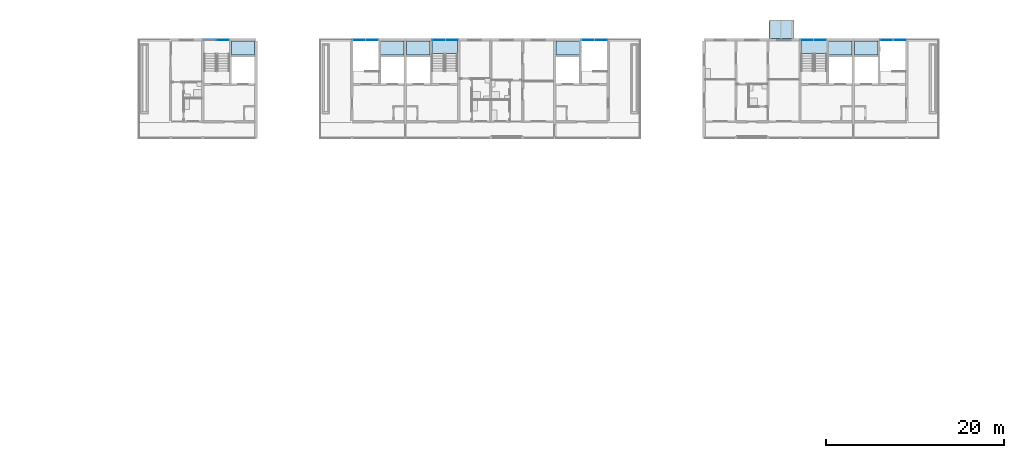
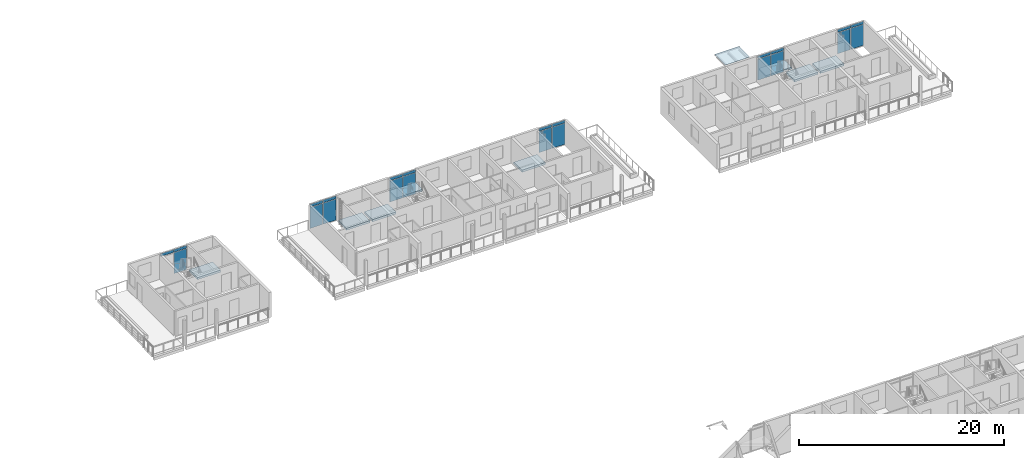
# One storey, part 35 of 87: 23 plates, 9 slabs, 8 elements without a shape of their own.
"""IFC4 building model written with IfcOpenShell, lengths in metres."""

from ifc_helpers import new_model, si_unit, direction, frame, origin, origin_2d, place, context, subcontext, project, spatial, polyline, rectangle, outline, extrude, material, layer, layer_set, type_object, element, aggregate, save


model = new_model("IFC4")

# Units and contexts
model_context = context("Model", 3, precision=1e-05, world=origin(), true_north=direction((0.0, 1.0)))
body_context = subcontext(model_context, "Body", "Model", "MODEL_VIEW")
ifc_project = project(units=[si_unit("LENGTHUNIT", "METRE"), si_unit("AREAUNIT", "SQUARE_METRE"), si_unit("VOLUMEUNIT", "CUBIC_METRE"), si_unit("PLANEANGLEUNIT", "RADIAN"), si_unit("MASSUNIT", "GRAM", prefix="KILO")], contexts=[model_context])

# Site, building, storey
site_placement = place(None, origin())
site = spatial("IfcSite", under=ifc_project, at=site_placement, CompositionType="ELEMENT")
building_placement = place(site_placement, origin())
building = spatial("IfcBuilding", under=site, at=building_placement, Name="Ridgestep Commons", CompositionType="ELEMENT")
storey_placement = place(building_placement, frame((0.0, 0.0, 27.0)))
storey = spatial("IfcBuildingStorey", under=building, at=storey_placement, Name="L09", CompositionType="ELEMENT", Elevation=27.0)

# Curtain wall, plate
ifc_material_1 = material(Name="Aluminium 6063-T6 and glass", Category="aluminium")
curtain_wall_type = type_object("IfcCurtainWallType", Name="Curtain wall stair strip", PredefinedType="NOTDEFINED", material=ifc_material_1)
curtain_wall_1_placement = place(storey_placement, origin())
curtain_wall_1 = element("IfcCurtainWall", 1, at=curtain_wall_1_placement, inside=storey, type_object=curtain_wall_type, Name="Curtain wall C1C level 09", PredefinedType="NOTDEFINED")
ifc_material_2 = material(Name="Glass laminated 6/16/6 low-emissivity", Category="glass")
ifc_layer_1 = layer(ifc_material_2, 0.028076171875)
ifc_layer_set_1 = layer_set([ifc_layer_1], Name="Glazing panel 28")
plate_type_1 = type_object("IfcPlateType", Name="Glazing panel 28", PredefinedType="CURTAIN_PANEL", material=ifc_layer_set_1)
plate_1_placement = place(storey_placement, frame((159.853759765625, 77.080078125, 0.06005859375), z_axis=(0.0, 0.0, 1.0), x_axis=(1.0, 0.0, 0.0)))
plate_1 = element("IfcPlate", 2, at=plate_1_placement, type_object=plate_type_1, Name="CW1 panel 2.1", PredefinedType="CURTAIN_PANEL", context=body_context, shape_type="SweptSolid", body=[
    extrude(rectangle(XDim=1.422607421875, YDim=0.028076171875, at=origin_2d()), origin(), (0.0, 0.0, 1.0), 2.5),
])

# Curtain wall, plates
curtain_wall_2_placement = place(storey_placement, origin())
curtain_wall_2 = element("IfcCurtainWall", 3, at=curtain_wall_2_placement, inside=storey, type_object=curtain_wall_type, Name="Curtain wall C2C level 09", PredefinedType="NOTDEFINED")
plate_2_placement = place(storey_placement, frame((175.171142578125, 77.080078125, 0.06005859375), z_axis=(0.0, 0.0, 1.0), x_axis=(1.0, 0.0, 0.0)))
plate_2 = element("IfcPlate", 4, at=plate_2_placement, type_object=plate_type_1, Name="CW1 panel 1.1", PredefinedType="CURTAIN_PANEL", context=body_context, shape_type="SweptSolid", body=[
    extrude(rectangle(XDim=1.422607421875, YDim=0.028076171875, at=origin_2d()), origin(), (0.0, 0.0, 1.0), 2.5),
])
plate_3_placement = place(storey_placement, frame((176.65380859375, 77.080078125, 0.06005859375), z_axis=(0.0, 0.0, 1.0), x_axis=(1.0, 0.0, 0.0)))
plate_3 = element("IfcPlate", 5, at=plate_3_placement, type_object=plate_type_1, Name="CW1 panel 2.1", PredefinedType="CURTAIN_PANEL", context=body_context, shape_type="SweptSolid", body=[
    extrude(rectangle(XDim=1.422607421875, YDim=0.028076171875, at=origin_2d()), origin(), (0.0, 0.0, 1.0), 2.5),
])

curtain_wall_3_placement = place(storey_placement, origin())
curtain_wall_3 = element("IfcCurtainWall", 6, at=curtain_wall_3_placement, inside=storey, type_object=curtain_wall_type, Name="Curtain wall C3C level 09", PredefinedType="NOTDEFINED")
plate_4_placement = place(storey_placement, frame((184.146240234375, 77.080078125, 0.06005859375), z_axis=(0.0, 0.0, 1.0), x_axis=(1.0, 0.0, 0.0)))
plate_4 = element("IfcPlate", 7, at=plate_4_placement, type_object=plate_type_1, Name="CW1 panel 1.1", PredefinedType="CURTAIN_PANEL", context=body_context, shape_type="SweptSolid", body=[
    extrude(rectangle(XDim=1.422607421875, YDim=0.028076171875, at=origin_2d()), origin(), (0.0, 0.0, 1.0), 2.5),
])
plate_5_placement = place(storey_placement, frame((185.628662109375, 77.080078125, 0.06005859375), z_axis=(0.0, 0.0, 1.0), x_axis=(1.0, 0.0, 0.0)))
plate_5 = element("IfcPlate", 8, at=plate_5_placement, type_object=plate_type_1, Name="CW1 panel 2.1", PredefinedType="CURTAIN_PANEL", context=body_context, shape_type="SweptSolid", body=[
    extrude(rectangle(XDim=1.422607421875, YDim=0.028076171875, at=origin_2d()), origin(), (0.0, 0.0, 1.0), 2.5),
])

curtain_wall_4_placement = place(storey_placement, origin())
curtain_wall_4 = element("IfcCurtainWall", 9, at=curtain_wall_4_placement, inside=storey, type_object=curtain_wall_type, Name="Curtain wall C4C level 09", PredefinedType="NOTDEFINED")
plate_6_placement = place(storey_placement, frame((200.9462890625, 77.080078125, 0.06005859375), z_axis=(0.0, 0.0, 1.0), x_axis=(1.0, 0.0, 0.0)))
plate_6 = element("IfcPlate", 10, at=plate_6_placement, type_object=plate_type_1, Name="CW1 panel 1.1", PredefinedType="CURTAIN_PANEL", context=body_context, shape_type="SweptSolid", body=[
    extrude(rectangle(XDim=1.422607421875, YDim=0.028076171875, at=origin_2d()), origin(), (0.0, 0.0, 1.0), 2.5),
])
plate_7_placement = place(storey_placement, frame((202.4287109375, 77.080078125, 0.06005859375), z_axis=(0.0, 0.0, 1.0), x_axis=(1.0, 0.0, 0.0)))
plate_7 = element("IfcPlate", 11, at=plate_7_placement, type_object=plate_type_1, Name="CW1 panel 2.1", PredefinedType="CURTAIN_PANEL", context=body_context, shape_type="SweptSolid", body=[
    extrude(rectangle(XDim=1.422607421875, YDim=0.028076171875, at=origin_2d()), origin(), (0.0, 0.0, 1.0), 2.5),
])

curtain_wall_5_placement = place(storey_placement, origin())
curtain_wall_5 = element("IfcCurtainWall", 12, at=curtain_wall_5_placement, inside=storey, type_object=curtain_wall_type, Name="Curtain wall C5C level 09", PredefinedType="NOTDEFINED")
plate_8_placement = place(storey_placement, frame((225.5712890625, 77.080078125, 0.06005859375), z_axis=(0.0, 0.0, 1.0), x_axis=(1.0, 0.0, 0.0)))
plate_8 = element("IfcPlate", 13, at=plate_8_placement, type_object=plate_type_1, Name="CW1 panel 1.1", PredefinedType="CURTAIN_PANEL", context=body_context, shape_type="SweptSolid", body=[
    extrude(rectangle(XDim=1.422607421875, YDim=0.028076171875, at=origin_2d()), origin(), (0.0, 0.0, 1.0), 2.5),
])
plate_9_placement = place(storey_placement, frame((227.0537109375, 77.080078125, 0.06005859375), z_axis=(0.0, 0.0, 1.0), x_axis=(1.0, 0.0, 0.0)))
plate_9 = element("IfcPlate", 14, at=plate_9_placement, type_object=plate_type_1, Name="CW1 panel 2.1", PredefinedType="CURTAIN_PANEL", context=body_context, shape_type="SweptSolid", body=[
    extrude(rectangle(XDim=1.422607421875, YDim=0.028076171875, at=origin_2d()), origin(), (0.0, 0.0, 1.0), 2.5),
])

curtain_wall_6_placement = place(storey_placement, origin())
curtain_wall_6 = element("IfcCurtainWall", 15, at=curtain_wall_6_placement, inside=storey, type_object=curtain_wall_type, Name="Curtain wall C6C level 09", PredefinedType="NOTDEFINED")
plate_10_placement = place(storey_placement, frame((234.546142578125, 77.080078125, 0.06005859375), z_axis=(0.0, 0.0, 1.0), x_axis=(1.0, 0.0, 0.0)))
plate_10 = element("IfcPlate", 16, at=plate_10_placement, type_object=plate_type_1, Name="CW1 panel 1.1", PredefinedType="CURTAIN_PANEL", context=body_context, shape_type="SweptSolid", body=[
    extrude(rectangle(XDim=1.422607421875, YDim=0.028076171875, at=origin_2d()), origin(), (0.0, 0.0, 1.0), 2.5),
])
plate_11_placement = place(storey_placement, frame((236.02880859375, 77.080078125, 0.06005859375), z_axis=(0.0, 0.0, 1.0), x_axis=(1.0, 0.0, 0.0)))
plate_11 = element("IfcPlate", 17, at=plate_11_placement, type_object=plate_type_1, Name="CW1 panel 2.1", PredefinedType="CURTAIN_PANEL", context=body_context, shape_type="SweptSolid", body=[
    extrude(rectangle(XDim=1.422607421875, YDim=0.028076171875, at=origin_2d()), origin(), (0.0, 0.0, 1.0), 2.5),
])

# Slabs
ifc_material_3 = material(Name="Precast concrete C50/60", Category="concrete")
ifc_layer_2 = layer(ifc_material_3, 0.25)
ifc_layer_set_2 = layer_set([ifc_layer_2], Name="Hollow-core plank 250")
slab_type_1 = type_object("IfcSlabType", Name="Hollow-core plank 250", PredefinedType="FLOOR", material=ifc_layer_set_2)
slab_1_placement = place(storey_placement, frame((0.0, 0.0, -0.25)))
element("IfcSlab", 18, at=slab_1_placement, inside=storey, type_object=slab_type_1, Name="Floor plank C1C L09", PredefinedType="FLOOR", context=body_context, shape_type="SweptSolid", body=[
    extrude(outline(polyline([(163.449951171875, 75.39990234375), (163.449951171875, 77.0), (160.824951171875, 77.0), (160.824951171875, 75.39990234375), (163.449951171875, 75.39990234375)])), origin(), (0.0, 0.0, 1.0), 0.25),
])
slab_2_placement = place(storey_placement, frame((0.0, 0.0, -0.25)))
element("IfcSlab", 19, at=slab_2_placement, inside=storey, type_object=slab_type_1, Name="Floor plank C2C L09", PredefinedType="FLOOR", context=body_context, shape_type="SweptSolid", body=[
    extrude(outline(polyline([(180.25, 75.39990234375), (180.25, 77.0), (177.625, 77.0), (177.625, 75.39990234375), (180.25, 75.39990234375)])), origin(), (0.0, 0.0, 1.0), 0.25),
])
slab_3_placement = place(storey_placement, frame((0.0, 0.0, -0.25)))
element("IfcSlab", 20, at=slab_3_placement, inside=storey, type_object=slab_type_1, Name="Floor plank C3C L09", PredefinedType="FLOOR", context=body_context, shape_type="SweptSolid", body=[
    extrude(outline(polyline([(183.175048828125, 77.0), (180.550048828125, 77.0), (180.550048828125, 75.39990234375), (183.175048828125, 75.39990234375), (183.175048828125, 77.0)])), origin(), (0.0, 0.0, 1.0), 0.25),
])
slab_4_placement = place(storey_placement, frame((0.0, 0.0, -0.25)))
element("IfcSlab", 21, at=slab_4_placement, inside=storey, type_object=slab_type_1, Name="Floor plank C4C L09", PredefinedType="FLOOR", context=body_context, shape_type="SweptSolid", body=[
    extrude(outline(polyline([(199.97509765625, 77.0), (197.35009765625, 77.0), (197.35009765625, 75.39990234375), (199.97509765625, 75.39990234375), (199.97509765625, 77.0)])), origin(), (0.0, 0.0, 1.0), 0.25),
])
slab_5_placement = place(storey_placement, frame((0.0, 0.0, -0.25)))
element("IfcSlab", 22, at=slab_5_placement, inside=storey, type_object=slab_type_1, Name="Floor plank C5C L09", PredefinedType="FLOOR", context=body_context, shape_type="SweptSolid", body=[
    extrude(outline(polyline([(230.64990234375, 75.39990234375), (230.64990234375, 77.0), (228.02490234375, 77.0), (228.02490234375, 75.39990234375), (230.64990234375, 75.39990234375)])), origin(), (0.0, 0.0, 1.0), 0.25),
])
slab_6_placement = place(storey_placement, frame((0.0, 0.0, -0.25)))
element("IfcSlab", 23, at=slab_6_placement, inside=storey, type_object=slab_type_1, Name="Floor plank C6C L09", PredefinedType="FLOOR", context=body_context, shape_type="SweptSolid", body=[
    extrude(outline(polyline([(233.574951171875, 77.0), (230.949951171875, 77.0), (230.949951171875, 75.39990234375), (233.574951171875, 75.39990234375), (233.574951171875, 77.0)])), origin(), (0.0, 0.0, 1.0), 0.25),
])

# Plate
ifc_material_4 = material(Name="Aluminium 6063-T6 and mineral wool", Category="aluminium")
ifc_layer_3 = layer(ifc_material_4, 0.0400390625)
ifc_layer_set_3 = layer_set([ifc_layer_3], Name="Spandrel panel 40")
plate_type_2 = type_object("IfcPlateType", Name="Spandrel panel 40", PredefinedType="CURTAIN_PANEL", material=ifc_layer_set_3)
plate_12_placement = place(storey_placement, frame((158.371337890625, 77.080078125, 2.6201171875), z_axis=(0.0, 0.0, 1.0), x_axis=(1.0, 0.0, 0.0)))
plate_12 = element("IfcPlate", 24, at=plate_12_placement, type_object=plate_type_2, Name="CW1 panel 1.2", PredefinedType="CURTAIN_PANEL", context=body_context, shape_type="SweptSolid", body=[
    extrude(rectangle(XDim=1.422607421875, YDim=0.0400390625, at=origin_2d()), origin(), (0.0, 0.0, 1.0), 0.320068359375),
])

plate_13_placement = place(storey_placement, frame((159.853759765625, 77.080078125, 2.6201171875), z_axis=(0.0, 0.0, 1.0), x_axis=(1.0, 0.0, 0.0)))
plate_13 = element("IfcPlate", 25, at=plate_13_placement, type_object=plate_type_2, Name="CW1 panel 2.2", PredefinedType="CURTAIN_PANEL", context=body_context, shape_type="SweptSolid", body=[
    extrude(rectangle(XDim=1.422607421875, YDim=0.0400390625, at=origin_2d()), origin(), (0.0, 0.0, 1.0), 0.320068359375),
])

aggregate(curtain_wall_1, [plate_12, plate_1, plate_13])

plate_14_placement = place(storey_placement, frame((175.171142578125, 77.080078125, 2.6201171875), z_axis=(0.0, 0.0, 1.0), x_axis=(1.0, 0.0, 0.0)))
plate_14 = element("IfcPlate", 26, at=plate_14_placement, type_object=plate_type_2, Name="CW1 panel 1.2", PredefinedType="CURTAIN_PANEL", context=body_context, shape_type="SweptSolid", body=[
    extrude(rectangle(XDim=1.422607421875, YDim=0.0400390625, at=origin_2d()), origin(), (0.0, 0.0, 1.0), 0.320068359375),
])

plate_15_placement = place(storey_placement, frame((176.65380859375, 77.080078125, 2.6201171875), z_axis=(0.0, 0.0, 1.0), x_axis=(1.0, 0.0, 0.0)))
plate_15 = element("IfcPlate", 27, at=plate_15_placement, type_object=plate_type_2, Name="CW1 panel 2.2", PredefinedType="CURTAIN_PANEL", context=body_context, shape_type="SweptSolid", body=[
    extrude(rectangle(XDim=1.422607421875, YDim=0.0400390625, at=origin_2d()), origin(), (0.0, 0.0, 1.0), 0.320068359375),
])

aggregate(curtain_wall_2, [plate_2, plate_14, plate_3, plate_15])

plate_16_placement = place(storey_placement, frame((184.146240234375, 77.080078125, 2.6201171875), z_axis=(0.0, 0.0, 1.0), x_axis=(1.0, 0.0, 0.0)))
plate_16 = element("IfcPlate", 28, at=plate_16_placement, type_object=plate_type_2, Name="CW1 panel 1.2", PredefinedType="CURTAIN_PANEL", context=body_context, shape_type="SweptSolid", body=[
    extrude(rectangle(XDim=1.422607421875, YDim=0.0400390625, at=origin_2d()), origin(), (0.0, 0.0, 1.0), 0.320068359375),
])

plate_17_placement = place(storey_placement, frame((185.628662109375, 77.080078125, 2.6201171875), z_axis=(0.0, 0.0, 1.0), x_axis=(1.0, 0.0, 0.0)))
plate_17 = element("IfcPlate", 29, at=plate_17_placement, type_object=plate_type_2, Name="CW1 panel 2.2", PredefinedType="CURTAIN_PANEL", context=body_context, shape_type="SweptSolid", body=[
    extrude(rectangle(XDim=1.422607421875, YDim=0.0400390625, at=origin_2d()), origin(), (0.0, 0.0, 1.0), 0.320068359375),
])

aggregate(curtain_wall_3, [plate_4, plate_16, plate_5, plate_17])

plate_18_placement = place(storey_placement, frame((200.9462890625, 77.080078125, 2.6201171875), z_axis=(0.0, 0.0, 1.0), x_axis=(1.0, 0.0, 0.0)))
plate_18 = element("IfcPlate", 30, at=plate_18_placement, type_object=plate_type_2, Name="CW1 panel 1.2", PredefinedType="CURTAIN_PANEL", context=body_context, shape_type="SweptSolid", body=[
    extrude(rectangle(XDim=1.422607421875, YDim=0.0400390625, at=origin_2d()), origin(), (0.0, 0.0, 1.0), 0.320068359375),
])

plate_19_placement = place(storey_placement, frame((202.4287109375, 77.080078125, 2.6201171875), z_axis=(0.0, 0.0, 1.0), x_axis=(1.0, 0.0, 0.0)))
plate_19 = element("IfcPlate", 31, at=plate_19_placement, type_object=plate_type_2, Name="CW1 panel 2.2", PredefinedType="CURTAIN_PANEL", context=body_context, shape_type="SweptSolid", body=[
    extrude(rectangle(XDim=1.422607421875, YDim=0.0400390625, at=origin_2d()), origin(), (0.0, 0.0, 1.0), 0.320068359375),
])

aggregate(curtain_wall_4, [plate_6, plate_18, plate_7, plate_19])

plate_20_placement = place(storey_placement, frame((225.5712890625, 77.080078125, 2.6201171875), z_axis=(0.0, 0.0, 1.0), x_axis=(1.0, 0.0, 0.0)))
plate_20 = element("IfcPlate", 32, at=plate_20_placement, type_object=plate_type_2, Name="CW1 panel 1.2", PredefinedType="CURTAIN_PANEL", context=body_context, shape_type="SweptSolid", body=[
    extrude(rectangle(XDim=1.422607421875, YDim=0.0400390625, at=origin_2d()), origin(), (0.0, 0.0, 1.0), 0.320068359375),
])

plate_21_placement = place(storey_placement, frame((227.0537109375, 77.080078125, 2.6201171875), z_axis=(0.0, 0.0, 1.0), x_axis=(1.0, 0.0, 0.0)))
plate_21 = element("IfcPlate", 33, at=plate_21_placement, type_object=plate_type_2, Name="CW1 panel 2.2", PredefinedType="CURTAIN_PANEL", context=body_context, shape_type="SweptSolid", body=[
    extrude(rectangle(XDim=1.422607421875, YDim=0.0400390625, at=origin_2d()), origin(), (0.0, 0.0, 1.0), 0.320068359375),
])

aggregate(curtain_wall_5, [plate_8, plate_20, plate_9, plate_21])

plate_22_placement = place(storey_placement, frame((234.546142578125, 77.080078125, 2.6201171875), z_axis=(0.0, 0.0, 1.0), x_axis=(1.0, 0.0, 0.0)))
plate_22 = element("IfcPlate", 34, at=plate_22_placement, type_object=plate_type_2, Name="CW1 panel 1.2", PredefinedType="CURTAIN_PANEL", context=body_context, shape_type="SweptSolid", body=[
    extrude(rectangle(XDim=1.422607421875, YDim=0.0400390625, at=origin_2d()), origin(), (0.0, 0.0, 1.0), 0.320068359375),
])

plate_23_placement = place(storey_placement, frame((236.02880859375, 77.080078125, 2.6201171875), z_axis=(0.0, 0.0, 1.0), x_axis=(1.0, 0.0, 0.0)))
plate_23 = element("IfcPlate", 35, at=plate_23_placement, type_object=plate_type_2, Name="CW1 panel 2.2", PredefinedType="CURTAIN_PANEL", context=body_context, shape_type="SweptSolid", body=[
    extrude(rectangle(XDim=1.422607421875, YDim=0.0400390625, at=origin_2d()), origin(), (0.0, 0.0, 1.0), 0.320068359375),
])

aggregate(curtain_wall_6, [plate_10, plate_22, plate_11, plate_23])

# Stair, slab
ifc_material_5 = material(Name="Precast concrete C40/50", Category="concrete")
stair_type = type_object("IfcStairType", Name="Escape stair 1400", PredefinedType="HALF_TURN_STAIR", material=ifc_material_5)
stair_1_placement = place(storey_placement, origin())
stair_1 = element("IfcStair", 36, at=stair_1_placement, inside=storey, type_object=stair_type, Name="L09 Escape stair C3C", PredefinedType="HALF_TURN_STAIR")
ifc_material_6 = material(Name="Precast concrete C40/50", Category="concrete")
ifc_layer_4 = layer(ifc_material_6, 0.199951171875)
ifc_layer_set_4 = layer_set([ifc_layer_4], Name="Stair landing 200")
slab_type_2 = type_object("IfcSlabType", Name="Stair landing 200", PredefinedType="LANDING", material=ifc_layer_set_4)
slab_7_placement = place(storey_placement, frame((0.0, 0.0, 1.300048828125)))
slab_7 = element("IfcSlab", 37, at=slab_7_placement, type_object=slab_type_2, Name="C3C landing 1", PredefinedType="LANDING", context=body_context, shape_type="SweptSolid", body=[
    extrude(outline(polyline([(186.27490234375, 75.56005859375), (186.27490234375, 77.0), (183.375, 77.0), (183.375, 75.56005859375), (186.27490234375, 75.56005859375)])), origin(), (0.0, 0.0, 1.0), 0.199951171875),
])
aggregate(stair_1, [slab_7])

stair_2_placement = place(storey_placement, origin())
stair_2 = element("IfcStair", 38, at=stair_2_placement, inside=storey, type_object=stair_type, Name="L09 Escape stair C5C", PredefinedType="HALF_TURN_STAIR")
slab_8_placement = place(storey_placement, frame((0.0, 0.0, 1.300048828125)))
slab_8 = element("IfcSlab", 39, at=slab_8_placement, type_object=slab_type_2, Name="C5C landing 1", PredefinedType="LANDING", context=body_context, shape_type="SweptSolid", body=[
    extrude(outline(polyline([(227.824951171875, 75.56005859375), (227.824951171875, 77.0), (224.925048828125, 77.0), (224.925048828125, 75.56005859375), (227.824951171875, 75.56005859375)])), origin(), (0.0, 0.0, 1.0), 0.199951171875),
])
aggregate(stair_2, [slab_8])

# Slab
ifc_material_7 = material(Name="Weathering steel S355J2W", Category="steel")
ifc_layer_5 = layer(ifc_material_7, 0.010009765625)
ifc_layer_set_5 = layer_set([ifc_layer_5], Name="Tray 2.8 x 2.1")
slab_type_3 = type_object("IfcSlabType", Name="Tray 2.8 x 2.1", PredefinedType="FLOOR", material=ifc_layer_set_5)
slab_9_placement = place(storey_placement, frame((0.0, 0.0, 2.989990234375)))
element("IfcSlab", 40, at=slab_9_placement, inside=storey, type_object=slab_type_3, Name="Tray deck C5T3-10", PredefinedType="FLOOR", context=body_context, shape_type="SweptSolid", body=[
    extrude(outline(polyline([(221.330078125, 77.25), (224.070068359375, 77.25), (224.070068359375, 79.35009765625), (221.330078125, 79.35009765625), (221.330078125, 77.25)])), origin(), (0.0, 0.0, 1.0), 0.010009765625),
])

save(model, "model.ifc")
